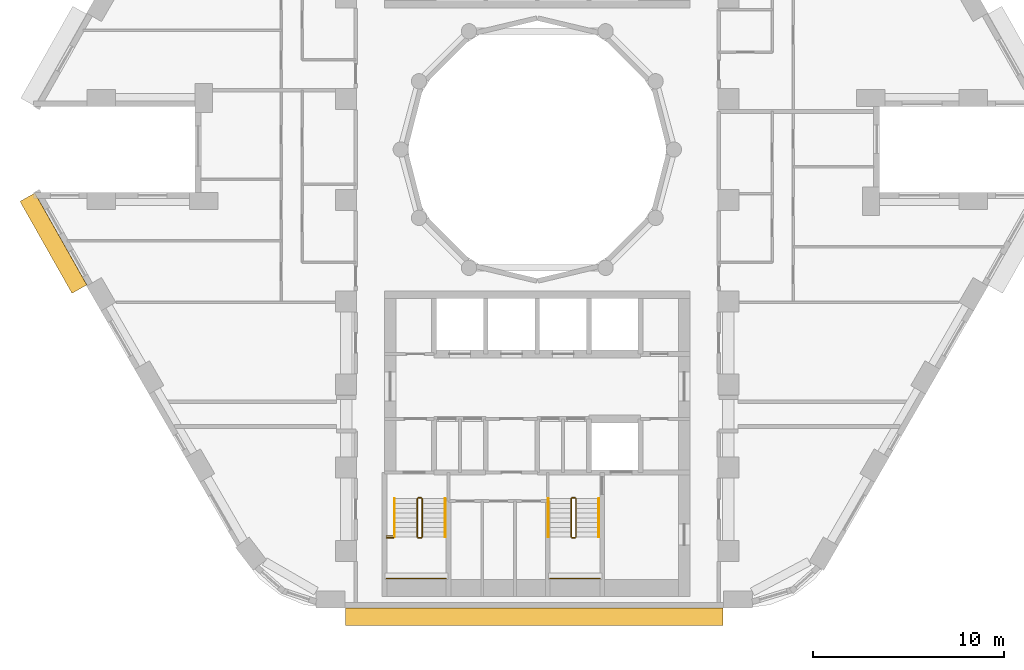
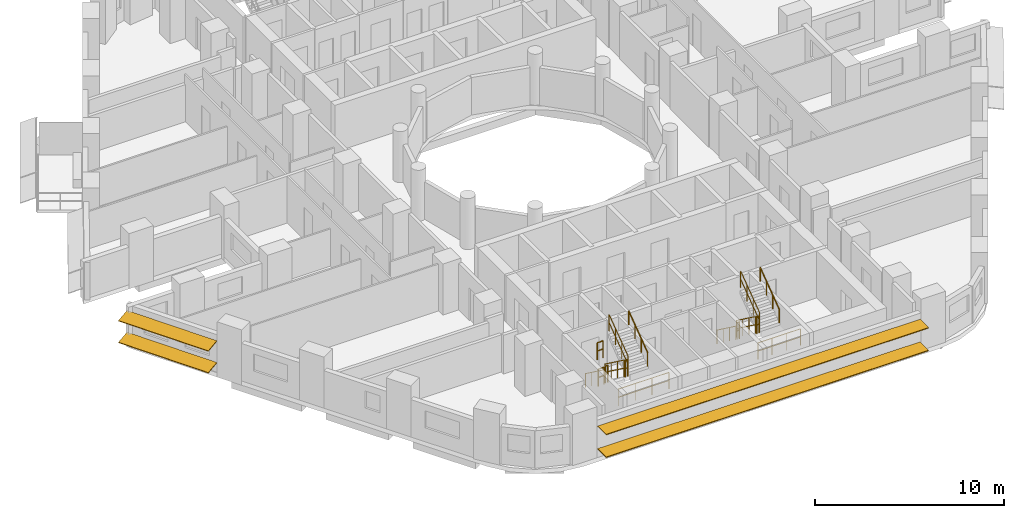
# One storey, part 11 of 13: 16 railings, 4 shading devices.
"""IFC4 building model written with IfcOpenShell, lengths in metres."""

from ifc_helpers import new_model, si_unit, direction, frame, origin, origin_2d, place, context, subcontext, project, spatial, rectangle, circle, extrude, material, material_profile, profile_set, type_object, element, save


model = new_model("IFC4")

# Units and contexts
model_context = context("Model", 3, precision=1e-05, world=origin(), true_north=direction((0.0, 1.0)))
body_context = subcontext(model_context, "Body", "Model", "MODEL_VIEW")
ifc_project = project(units=[si_unit("LENGTHUNIT", "METRE"), si_unit("AREAUNIT", "SQUARE_METRE"), si_unit("VOLUMEUNIT", "CUBIC_METRE"), si_unit("PLANEANGLEUNIT", "RADIAN"), si_unit("MASSUNIT", "GRAM", prefix="KILO")], contexts=[model_context])

# Site, building, storey
site_placement = place(None, origin())
site = spatial("IfcSite", under=ifc_project, at=site_placement, CompositionType="ELEMENT")
building_placement = place(site_placement, origin())
building = spatial("IfcBuilding", under=site, at=building_placement, Name="Nakaniwa Court", CompositionType="ELEMENT")
storey_placement = place(building_placement, frame((0.0, 0.0, 41.39990234375)))
storey = spatial("IfcBuildingStorey", under=building, at=storey_placement, Name="L10", CompositionType="ELEMENT", Elevation=41.39990234375)

# Shading devices
ifc_material_1 = material(Name="Perforated charcoal ceramic louvre blade")
ifc_material_profile = material_profile(ifc_material_1, rectangle(XDim=0.89990234375, YDim=0.050048828125, at=origin_2d()), Name="Perforated ceramic louvre blade")
ifc_profile_set = profile_set([ifc_material_profile], Name="Perforated charcoal ceramic louvre blade")
shading_device_type = type_object("IfcShadingDeviceType", Name="Perforated ceramic louvre blade", PredefinedType="JALOUSIE", material=ifc_profile_set)
for number, where, z_axis, x_axis, name in (
    (1, (53.31689453125, 77.508056640625, 0.550048828125), (0.492342539441, -0.870401530247, 0.0), (0.86275552304, 0.488017576221, 0.132256390257), "L10 perforated ceramic louvre blade w20 1"),
    (2, (53.31689453125, 77.508056640625, 1.955810546875), (0.492342539441, -0.870401530247, 0.0), (0.86275552304, 0.488017576221, 0.132256390257), "L10 perforated ceramic louvre blade w20 2"),
):
    element("IfcShadingDevice", number, at=place(storey_placement, frame(where, z_axis=z_axis, x_axis=x_axis)), inside=storey, type_object=shading_device_type, Name=name, PredefinedType="JALOUSIE", context=body_context, shape_type="SweptSolid", body=[
        extrude(rectangle(XDim=0.89990234375, YDim=0.050048828125, at=origin_2d()), origin(), (0.0, 0.0, 1.0), 5.526611328125),
    ])
for number, where, z_axis, x_axis, name in (
    (3, (69.97119140625, 55.550048828125, 0.550048828125), (1.0, 0.0, 0.0), (0.0, 1.0, 0.0), "L10 perforated ceramic louvre blade w26 1"),
    (4, (69.97119140625, 55.550048828125, 2.01513671875), (1.0, 0.0, 0.0), (0.0, 1.0, 0.0), "L10 perforated ceramic louvre blade w26 2"),
):
    element("IfcShadingDevice", number, at=place(storey_placement, frame(where, z_axis=z_axis, x_axis=x_axis)), inside=storey, type_object=shading_device_type, Name=name, PredefinedType="JALOUSIE", context=body_context, shape_type="SweptSolid", body=[
        extrude(rectangle(XDim=0.89990234375, YDim=0.050048828125, at=origin_2d()), origin(), (0.0, 0.0, 1.0), 19.739990234375),
    ])

# Railings
ifc_material_2 = material(Name="Black powder coated steel guard", Category="steel")
railing_type_1 = type_object("IfcRailingType", Name="Stair guard 1100", PredefinedType="GUARDRAIL", material=ifc_material_2)
railing_1_placement = place(storey_placement, frame((73.72509765625, 61.72509765625, 0.183349609375)))
element("IfcRailing", 5, at=railing_1_placement, inside=storey, type_object=railing_type_1, Name="L10 ST3 stair guard 1", PredefinedType="GUARDRAIL", context=body_context, shape_type="SweptSolid", body=[
    extrude(circle(Radius=0.02392578125, at=origin_2d()), frame((0.0, 0.0, 1.076171875), z_axis=(0.0, -0.806379959628, 0.591397802423), x_axis=(1.0, 0.0, 0.0)), (0.0, 0.0, 1.0), 2.480224609375),
    extrude(circle(Radius=0.02392578125, at=origin_2d()), frame((0.0, 0.0, 0.550048828125), z_axis=(0.0, -0.806379959628, 0.591397802423), x_axis=(1.0, 0.0, 0.0)), (0.0, 0.0, 1.0), 2.480224609375),
    extrude(circle(Radius=0.02099609375, at=origin_2d()), origin(), (0.0, 0.0, 1.0), 1.052001953125),
    extrude(circle(Radius=0.02099609375, at=origin_2d()), frame((0.0, -0.666748046875, 0.489013671875)), (0.0, 0.0, 1.0), 1.052001953125),
    extrude(circle(Radius=0.02099609375, at=origin_2d()), frame((0.0, -1.333251953125, 0.977783203125)), (0.0, 0.0, 1.0), 1.052001953125),
    extrude(circle(Radius=0.02099609375, at=origin_2d()), frame((0.0, -2.0, 1.466796875)), (0.0, 0.0, 1.0), 1.052001953125),
])
railing_2_placement = place(storey_placement, frame((73.77490234375, 59.675048828125, 1.650146484375)))
element("IfcRailing", 6, at=railing_2_placement, inside=storey, type_object=railing_type_1, Name="L10 ST3 stair guard 2", PredefinedType="GUARDRAIL", context=body_context, shape_type="SweptSolid", body=[
    extrude(circle(Radius=0.02392578125, at=origin_2d()), frame((0.0, 0.0, 1.076171875), z_axis=(1.0, 0.0, 0.0), x_axis=(0.0, 1.0, 0.0)), (0.0, 0.0, 1.0), 0.150146484375),
    extrude(circle(Radius=0.02392578125, at=origin_2d()), frame((0.0, 0.0, 0.550048828125), z_axis=(1.0, 0.0, 0.0), x_axis=(0.0, 1.0, 0.0)), (0.0, 0.0, 1.0), 0.150146484375),
    extrude(circle(Radius=0.02099609375, at=origin_2d()), origin(), (0.0, 0.0, 1.0), 1.052001953125),
    extrude(circle(Radius=0.02099609375, at=origin_2d()), frame((0.150146484375, 0.0, 0.0)), (0.0, 0.0, 1.0), 1.052001953125),
])
railing_3_placement = place(storey_placement, frame((73.97509765625, 59.72509765625, 1.83349609375)))
element("IfcRailing", 7, at=railing_3_placement, inside=storey, type_object=railing_type_1, Name="L10 ST3 stair guard 3", PredefinedType="GUARDRAIL", context=body_context, shape_type="SweptSolid", body=[
    extrude(circle(Radius=0.02392578125, at=origin_2d()), frame((0.0, 0.0, 1.076171875), z_axis=(0.0, 0.806426902644, 0.591333789573), x_axis=(-1.0, 0.0, 0.0)), (0.0, 0.0, 1.0), 2.47998046875),
    extrude(circle(Radius=0.02392578125, at=origin_2d()), frame((0.0, 0.0, 0.550048828125), z_axis=(0.0, 0.806426902644, 0.591333789573), x_axis=(-1.0, 0.0, 0.0)), (0.0, 0.0, 1.0), 2.47998046875),
    extrude(circle(Radius=0.02099609375, at=origin_2d()), origin(), (0.0, 0.0, 1.0), 1.052001953125),
    extrude(circle(Radius=0.02099609375, at=origin_2d()), frame((0.0, 0.666748046875, 0.48876953125)), (0.0, 0.0, 1.0), 1.052001953125),
    extrude(circle(Radius=0.02099609375, at=origin_2d()), frame((0.0, 1.333251953125, 0.977783203125)), (0.0, 0.0, 1.0), 1.052001953125),
    extrude(circle(Radius=0.02099609375, at=origin_2d()), frame((0.0, 2.0, 1.466552734375)), (0.0, 0.0, 1.0), 1.052001953125),
])
railing_4_placement = place(storey_placement, frame((73.77490234375, 61.77490234375, 0.0)))
element("IfcRailing", 8, at=railing_4_placement, inside=storey, type_object=railing_type_1, Name="L10 ST3 stair guard 4", PredefinedType="GUARDRAIL", context=body_context, shape_type="SweptSolid", body=[
    extrude(circle(Radius=0.02392578125, at=origin_2d()), frame((0.0, 0.0, 1.076171875), z_axis=(1.0, 0.0, 0.0), x_axis=(0.0, 1.0, 0.0)), (0.0, 0.0, 1.0), 0.150146484375),
    extrude(circle(Radius=0.02392578125, at=origin_2d()), frame((0.0, 0.0, 0.550048828125), z_axis=(1.0, 0.0, 0.0), x_axis=(0.0, 1.0, 0.0)), (0.0, 0.0, 1.0), 0.150146484375),
    extrude(circle(Radius=0.02099609375, at=origin_2d()), origin(), (0.0, 0.0, 1.0), 1.052001953125),
    extrude(circle(Radius=0.02099609375, at=origin_2d()), frame((0.150146484375, 0.0, 0.0)), (0.0, 0.0, 1.0), 1.052001953125),
])
railing_5_placement = place(storey_placement, frame((72.125, 57.550048828125, 1.650146484375)))
element("IfcRailing", 9, at=railing_5_placement, inside=storey, type_object=railing_type_1, Name="L10 ST3 landing end guard 1", PredefinedType="GUARDRAIL", context=body_context, shape_type="SweptSolid", body=[
    extrude(circle(Radius=0.02392578125, at=origin_2d()), frame((0.0, 0.0, 1.076171875), z_axis=(1.0, 0.0, 0.0), x_axis=(0.0, 1.0, 0.0)), (0.0, 0.0, 1.0), 3.10009765625),
    extrude(circle(Radius=0.02392578125, at=origin_2d()), frame((0.0, 0.0, 0.550048828125), z_axis=(1.0, 0.0, 0.0), x_axis=(0.0, 1.0, 0.0)), (0.0, 0.0, 1.0), 3.10009765625),
    extrude(circle(Radius=0.02099609375, at=origin_2d()), origin(), (0.0, 0.0, 1.0), 1.052001953125),
    extrude(circle(Radius=0.02099609375, at=origin_2d()), frame((1.033447265625, 0.0, 0.0)), (0.0, 0.0, 1.0), 1.052001953125),
    extrude(circle(Radius=0.02099609375, at=origin_2d()), frame((2.066650390625, 0.0, 0.0)), (0.0, 0.0, 1.0), 1.052001953125),
    extrude(circle(Radius=0.02099609375, at=origin_2d()), frame((3.10009765625, 0.0, 0.0)), (0.0, 0.0, 1.0), 1.052001953125),
])
for number, where, name in (
    (10, (72.125, 59.675048828125, 1.650146484375), "L10 ST3 landing side guard 1W"),
    (11, (72.125, 59.77490234375, 3.300048828125), "L10 ST3 floor edge guard 1W"),
):
    element("IfcRailing", number, at=place(storey_placement, frame(where)), inside=storey, type_object=railing_type_1, Name=name, PredefinedType="GUARDRAIL", context=body_context, shape_type="SweptSolid", body=[
        extrude(circle(Radius=0.02392578125, at=origin_2d()), frame((0.0, 0.0, 1.076171875), z_axis=(1.0, 0.0, 0.0), x_axis=(0.0, 1.0, 0.0)), (0.0, 0.0, 1.0), 0.35009765625),
        extrude(circle(Radius=0.02392578125, at=origin_2d()), frame((0.0, 0.0, 0.550048828125), z_axis=(1.0, 0.0, 0.0), x_axis=(0.0, 1.0, 0.0)), (0.0, 0.0, 1.0), 0.35009765625),
        extrude(circle(Radius=0.02099609375, at=origin_2d()), origin(), (0.0, 0.0, 1.0), 1.052001953125),
        extrude(circle(Radius=0.02099609375, at=origin_2d()), frame((0.35009765625, 0.0, 0.0)), (0.0, 0.0, 1.0), 1.052001953125),
    ])
railing_6_placement = place(storey_placement, frame((81.77490234375, 61.72509765625, 0.183349609375)))
element("IfcRailing", 12, at=railing_6_placement, inside=storey, type_object=railing_type_1, Name="L10 ST4 stair guard 1", PredefinedType="GUARDRAIL", context=body_context, shape_type="SweptSolid", body=[
    extrude(circle(Radius=0.02392578125, at=origin_2d()), frame((0.0, 0.0, 1.076171875), z_axis=(0.0, -0.806379959628, 0.591397802423), x_axis=(1.0, 0.0, 0.0)), (0.0, 0.0, 1.0), 2.480224609375),
    extrude(circle(Radius=0.02392578125, at=origin_2d()), frame((0.0, 0.0, 0.550048828125), z_axis=(0.0, -0.806379959628, 0.591397802423), x_axis=(1.0, 0.0, 0.0)), (0.0, 0.0, 1.0), 2.480224609375),
    extrude(circle(Radius=0.02099609375, at=origin_2d()), origin(), (0.0, 0.0, 1.0), 1.052001953125),
    extrude(circle(Radius=0.02099609375, at=origin_2d()), frame((0.0, -0.666748046875, 0.489013671875)), (0.0, 0.0, 1.0), 1.052001953125),
    extrude(circle(Radius=0.02099609375, at=origin_2d()), frame((0.0, -1.333251953125, 0.977783203125)), (0.0, 0.0, 1.0), 1.052001953125),
    extrude(circle(Radius=0.02099609375, at=origin_2d()), frame((0.0, -2.0, 1.466796875)), (0.0, 0.0, 1.0), 1.052001953125),
])
railing_7_placement = place(storey_placement, frame((81.824951171875, 59.675048828125, 1.650146484375)))
element("IfcRailing", 13, at=railing_7_placement, inside=storey, type_object=railing_type_1, Name="L10 ST4 stair guard 2", PredefinedType="GUARDRAIL", context=body_context, shape_type="SweptSolid", body=[
    extrude(circle(Radius=0.02392578125, at=origin_2d()), frame((0.0, 0.0, 1.076171875), z_axis=(1.0, 0.0, 0.0), x_axis=(0.0, 1.0, 0.0)), (0.0, 0.0, 1.0), 0.150146484375),
    extrude(circle(Radius=0.02392578125, at=origin_2d()), frame((0.0, 0.0, 0.550048828125), z_axis=(1.0, 0.0, 0.0), x_axis=(0.0, 1.0, 0.0)), (0.0, 0.0, 1.0), 0.150146484375),
    extrude(circle(Radius=0.02099609375, at=origin_2d()), origin(), (0.0, 0.0, 1.0), 1.052001953125),
    extrude(circle(Radius=0.02099609375, at=origin_2d()), frame((0.150146484375, 0.0, 0.0)), (0.0, 0.0, 1.0), 1.052001953125),
])
railing_8_placement = place(storey_placement, frame((82.02490234375, 59.72509765625, 1.83349609375)))
element("IfcRailing", 14, at=railing_8_placement, inside=storey, type_object=railing_type_1, Name="L10 ST4 stair guard 3", PredefinedType="GUARDRAIL", context=body_context, shape_type="SweptSolid", body=[
    extrude(circle(Radius=0.02392578125, at=origin_2d()), frame((0.0, 0.0, 1.076171875), z_axis=(0.0, 0.806426902644, 0.591333789573), x_axis=(-1.0, 0.0, 0.0)), (0.0, 0.0, 1.0), 2.47998046875),
    extrude(circle(Radius=0.02392578125, at=origin_2d()), frame((0.0, 0.0, 0.550048828125), z_axis=(0.0, 0.806426902644, 0.591333789573), x_axis=(-1.0, 0.0, 0.0)), (0.0, 0.0, 1.0), 2.47998046875),
    extrude(circle(Radius=0.02099609375, at=origin_2d()), origin(), (0.0, 0.0, 1.0), 1.052001953125),
    extrude(circle(Radius=0.02099609375, at=origin_2d()), frame((0.0, 0.666748046875, 0.48876953125)), (0.0, 0.0, 1.0), 1.052001953125),
    extrude(circle(Radius=0.02099609375, at=origin_2d()), frame((0.0, 1.333251953125, 0.977783203125)), (0.0, 0.0, 1.0), 1.052001953125),
    extrude(circle(Radius=0.02099609375, at=origin_2d()), frame((0.0, 2.0, 1.466552734375)), (0.0, 0.0, 1.0), 1.052001953125),
])
railing_9_placement = place(storey_placement, frame((81.824951171875, 61.77490234375, 0.0)))
element("IfcRailing", 15, at=railing_9_placement, inside=storey, type_object=railing_type_1, Name="L10 ST4 stair guard 4", PredefinedType="GUARDRAIL", context=body_context, shape_type="SweptSolid", body=[
    extrude(circle(Radius=0.02392578125, at=origin_2d()), frame((0.0, 0.0, 1.076171875), z_axis=(1.0, 0.0, 0.0), x_axis=(0.0, 1.0, 0.0)), (0.0, 0.0, 1.0), 0.150146484375),
    extrude(circle(Radius=0.02392578125, at=origin_2d()), frame((0.0, 0.0, 0.550048828125), z_axis=(1.0, 0.0, 0.0), x_axis=(0.0, 1.0, 0.0)), (0.0, 0.0, 1.0), 0.150146484375),
    extrude(circle(Radius=0.02099609375, at=origin_2d()), origin(), (0.0, 0.0, 1.0), 1.052001953125),
    extrude(circle(Radius=0.02099609375, at=origin_2d()), frame((0.150146484375, 0.0, 0.0)), (0.0, 0.0, 1.0), 1.052001953125),
])
railing_10_placement = place(storey_placement, frame((80.675048828125, 57.550048828125, 1.650146484375)))
element("IfcRailing", 16, at=railing_10_placement, inside=storey, type_object=railing_type_1, Name="L10 ST4 landing end guard 1", PredefinedType="GUARDRAIL", context=body_context, shape_type="SweptSolid", body=[
    extrude(circle(Radius=0.02392578125, at=origin_2d()), frame((0.0, 0.0, 1.076171875), z_axis=(1.0, 0.0, 0.0), x_axis=(0.0, 1.0, 0.0)), (0.0, 0.0, 1.0), 2.599853515625),
    extrude(circle(Radius=0.02392578125, at=origin_2d()), frame((0.0, 0.0, 0.550048828125), z_axis=(1.0, 0.0, 0.0), x_axis=(0.0, 1.0, 0.0)), (0.0, 0.0, 1.0), 2.599853515625),
    extrude(circle(Radius=0.02099609375, at=origin_2d()), origin(), (0.0, 0.0, 1.0), 1.052001953125),
    extrude(circle(Radius=0.02099609375, at=origin_2d()), frame((0.86669921875, 0.0, 0.0)), (0.0, 0.0, 1.0), 1.052001953125),
    extrude(circle(Radius=0.02099609375, at=origin_2d()), frame((1.733154296875, 0.0, 0.0)), (0.0, 0.0, 1.0), 1.052001953125),
    extrude(circle(Radius=0.02099609375, at=origin_2d()), frame((2.599853515625, 0.0, 0.0)), (0.0, 0.0, 1.0), 1.052001953125),
])
ifc_material_3 = material(Name="Black powder coated steel handrail", Category="steel")
railing_type_2 = type_object("IfcRailingType", Name="Stair handrail 900", PredefinedType="HANDRAIL", material=ifc_material_3)
railing_11_placement = place(storey_placement, frame((72.52490234375, 61.72509765625, 0.183349609375)))
element("IfcRailing", 17, at=railing_11_placement, inside=storey, type_object=railing_type_2, Name="L10 ST3 stair handrail 1", PredefinedType="HANDRAIL", context=body_context, shape_type="SweptSolid", body=[
    extrude(circle(Radius=0.02392578125, at=origin_2d()), frame((0.0, 0.0, 0.8759765625), z_axis=(0.0, -0.806379959628, 0.591397802423), x_axis=(1.0, 0.0, 0.0)), (0.0, 0.0, 1.0), 2.480224609375),
    extrude(circle(Radius=0.02099609375, at=origin_2d()), origin(), (0.0, 0.0, 1.0), 0.851806640625),
    extrude(circle(Radius=0.02099609375, at=origin_2d()), frame((0.0, -0.666748046875, 0.489013671875)), (0.0, 0.0, 1.0), 0.851806640625),
    extrude(circle(Radius=0.02099609375, at=origin_2d()), frame((0.0, -1.333251953125, 0.977783203125)), (0.0, 0.0, 1.0), 0.851806640625),
    extrude(circle(Radius=0.02099609375, at=origin_2d()), frame((0.0, -2.0, 1.466796875)), (0.0, 0.0, 1.0), 0.851806640625),
])
railing_12_placement = place(storey_placement, frame((75.175048828125, 59.72509765625, 1.83349609375)))
element("IfcRailing", 18, at=railing_12_placement, inside=storey, type_object=railing_type_2, Name="L10 ST3 stair handrail 2", PredefinedType="HANDRAIL", context=body_context, shape_type="SweptSolid", body=[
    extrude(circle(Radius=0.02392578125, at=origin_2d()), frame((0.0, 0.0, 0.8759765625), z_axis=(0.0, 0.806426902644, 0.591333789573), x_axis=(-1.0, 0.0, 0.0)), (0.0, 0.0, 1.0), 2.47998046875),
    extrude(circle(Radius=0.02099609375, at=origin_2d()), origin(), (0.0, 0.0, 1.0), 0.851806640625),
    extrude(circle(Radius=0.02099609375, at=origin_2d()), frame((0.0, 0.666748046875, 0.48876953125)), (0.0, 0.0, 1.0), 0.851806640625),
    extrude(circle(Radius=0.02099609375, at=origin_2d()), frame((0.0, 1.333251953125, 0.977783203125)), (0.0, 0.0, 1.0), 0.851806640625),
    extrude(circle(Radius=0.02099609375, at=origin_2d()), frame((0.0, 2.0, 1.466552734375)), (0.0, 0.0, 1.0), 0.851806640625),
])
railing_13_placement = place(storey_placement, frame((80.574951171875, 61.72509765625, 0.183349609375)))
element("IfcRailing", 19, at=railing_13_placement, inside=storey, type_object=railing_type_2, Name="L10 ST4 stair handrail 1", PredefinedType="HANDRAIL", context=body_context, shape_type="SweptSolid", body=[
    extrude(circle(Radius=0.02392578125, at=origin_2d()), frame((0.0, 0.0, 0.8759765625), z_axis=(0.0, -0.806379959628, 0.591397802423), x_axis=(1.0, 0.0, 0.0)), (0.0, 0.0, 1.0), 2.480224609375),
    extrude(circle(Radius=0.02099609375, at=origin_2d()), origin(), (0.0, 0.0, 1.0), 0.851806640625),
    extrude(circle(Radius=0.02099609375, at=origin_2d()), frame((0.0, -0.666748046875, 0.489013671875)), (0.0, 0.0, 1.0), 0.851806640625),
    extrude(circle(Radius=0.02099609375, at=origin_2d()), frame((0.0, -1.333251953125, 0.977783203125)), (0.0, 0.0, 1.0), 0.851806640625),
    extrude(circle(Radius=0.02099609375, at=origin_2d()), frame((0.0, -2.0, 1.466796875)), (0.0, 0.0, 1.0), 0.851806640625),
])
railing_14_placement = place(storey_placement, frame((83.22509765625, 59.72509765625, 1.83349609375)))
element("IfcRailing", 20, at=railing_14_placement, inside=storey, type_object=railing_type_2, Name="L10 ST4 stair handrail 2", PredefinedType="HANDRAIL", context=body_context, shape_type="SweptSolid", body=[
    extrude(circle(Radius=0.02392578125, at=origin_2d()), frame((0.0, 0.0, 0.8759765625), z_axis=(0.0, 0.806426902644, 0.591333789573), x_axis=(-1.0, 0.0, 0.0)), (0.0, 0.0, 1.0), 2.47998046875),
    extrude(circle(Radius=0.02099609375, at=origin_2d()), origin(), (0.0, 0.0, 1.0), 0.851806640625),
    extrude(circle(Radius=0.02099609375, at=origin_2d()), frame((0.0, 0.666748046875, 0.48876953125)), (0.0, 0.0, 1.0), 0.851806640625),
    extrude(circle(Radius=0.02099609375, at=origin_2d()), frame((0.0, 1.333251953125, 0.977783203125)), (0.0, 0.0, 1.0), 0.851806640625),
    extrude(circle(Radius=0.02099609375, at=origin_2d()), frame((0.0, 2.0, 1.466552734375)), (0.0, 0.0, 1.0), 0.851806640625),
])

save(model, "model.ifc")
